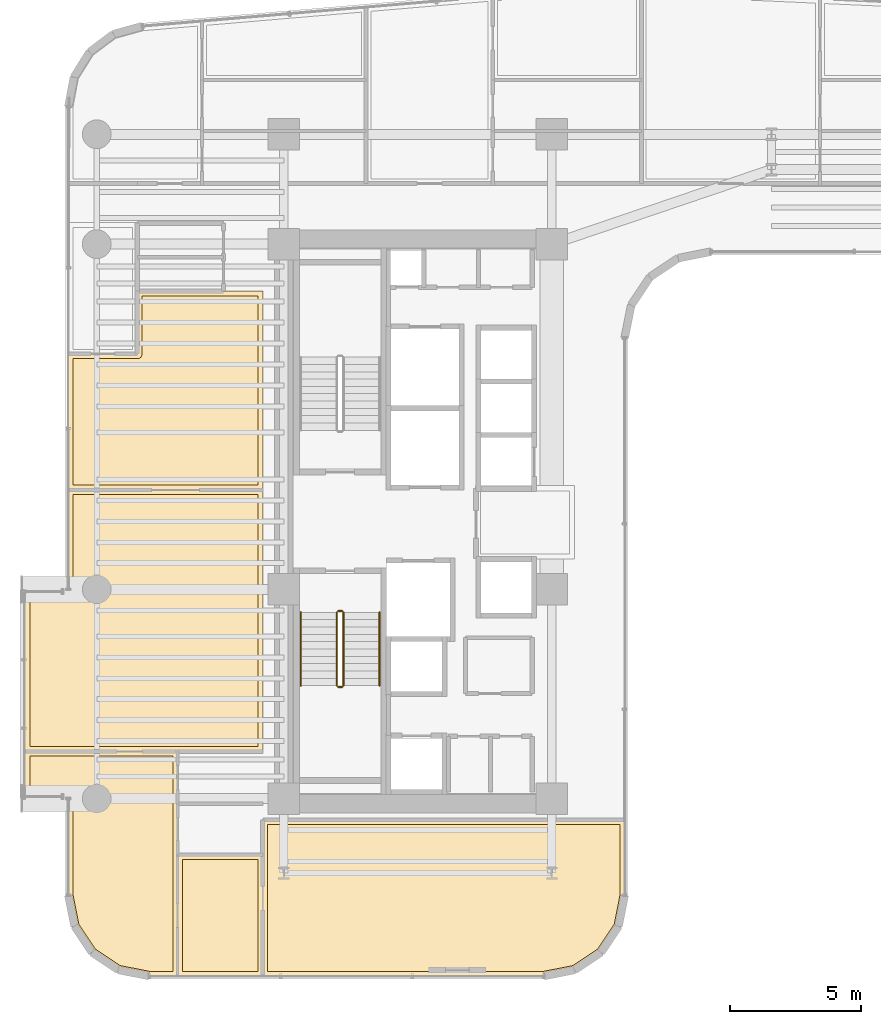
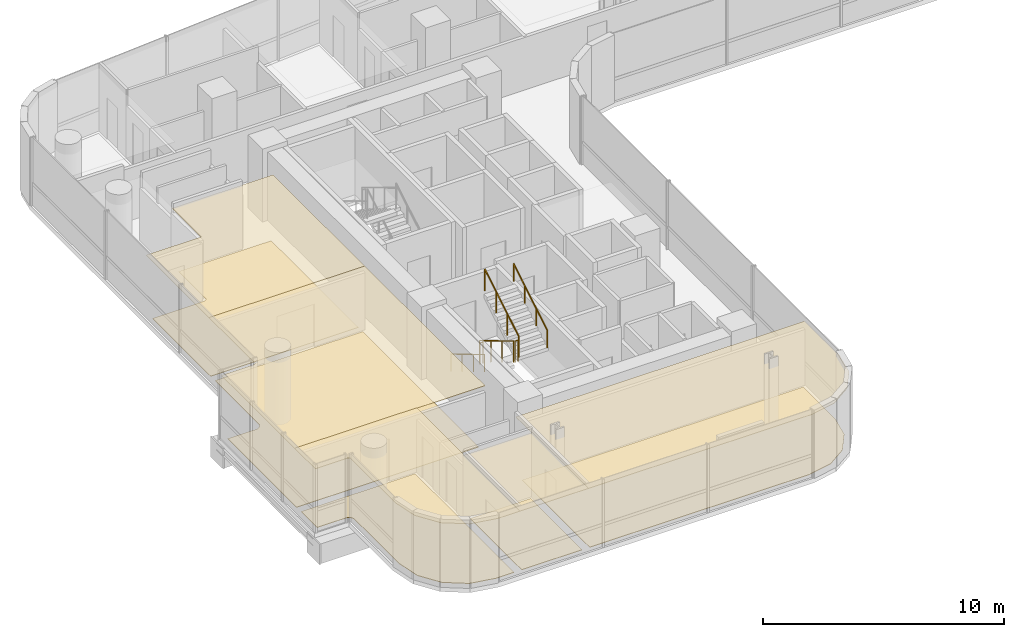
# One storey, part 34 of 38: 10 coverings, 6 railings.
"""IFC4 building model written with IfcOpenShell, lengths in metres."""

from ifc_helpers import new_model, si_unit, direction, frame, origin, origin_2d, place, context, subcontext, project, spatial, polyline, circle, outline, extrude, material, layer, layer_set, type_object, element, save


model = new_model("IFC4")

# Units and contexts
model_context = context("Model", 3, precision=1e-05, world=origin(), true_north=direction((0.0, 1.0)))
body_context = subcontext(model_context, "Body", "Model", "MODEL_VIEW")
ifc_project = project(units=[si_unit("LENGTHUNIT", "METRE"), si_unit("AREAUNIT", "SQUARE_METRE"), si_unit("VOLUMEUNIT", "CUBIC_METRE"), si_unit("PLANEANGLEUNIT", "RADIAN"), si_unit("MASSUNIT", "GRAM", prefix="KILO")], contexts=[model_context])

# Site, building, storey
site_placement = place(None, origin())
site = spatial("IfcSite", under=ifc_project, at=site_placement, CompositionType="ELEMENT")
building_placement = place(site_placement, origin())
building = spatial("IfcBuilding", under=site, at=building_placement, Name="Valdorenza Pilgrim Sanctuary Tower", CompositionType="ELEMENT")
storey_placement = place(building_placement, frame((0.0, 0.0, 131.60009765625)))
storey = spatial("IfcBuildingStorey", under=building, at=storey_placement, Name="L33", CompositionType="ELEMENT", Elevation=131.60009765625)

# Coverings
ifc_material_1 = material(Name="Micro-perforated acoustic mineral ceiling tile", Category="gypsum")
ifc_layer_1 = layer(ifc_material_1, 0.02490234375, Name="Micro-perforated acoustic mineral ceiling tile")
ifc_layer_set_1 = layer_set([ifc_layer_1], Name="Micro-perforated acoustic mineral ceiling tile")
covering_type_1 = type_object("IfcCoveringType", Name="COV-CLG-ACU", PredefinedType="CEILING", material=ifc_layer_set_1)
covering_1_placement = place(storey_placement, frame((0.0, 0.0, 3.159912109375)))
element("IfcCovering", 1, at=covering_1_placement, inside=storey, type_object=covering_type_1, Name="L33 Sanctuary Apartment L33-CS1 Bedroom Acoustic Ceiling", PredefinedType="CEILING", context=body_context, shape_type="SweptSolid", body=[
    extrude(outline(polyline([(-26.7236328125, -12.75), (-26.723388671875, -12.74853515625), (-26.723388671875, -12.7470703125), (-26.722900390625, -12.74560546875), (-26.722412109375, -12.744384765625), (-26.7216796875, -12.742919921875), (-26.72119140625, -12.74169921875), (-26.72021484375, -12.740478515625), (-26.71923828125, -12.739501953125), (-26.718017578125, -12.73828125), (-26.716796875, -12.737548828125), (-26.7158203125, -12.73681640625), (-26.71435546875, -12.736083984375), (-26.712890625, -12.735595703125), (-26.71142578125, -12.7353515625), (-26.710205078125, -12.735107421875), (-26.70849609375, -12.735107421875), (-23.449951171875, -12.735107421875), (-23.448486328125, -12.735107421875), (-23.447021484375, -12.7353515625), (-23.445556640625, -12.735595703125), (-23.4443359375, -12.736083984375), (-23.44287109375, -12.73681640625), (-23.441650390625, -12.737548828125), (-23.4404296875, -12.73828125), (-23.439453125, -12.739501953125), (-23.4384765625, -12.740478515625), (-23.4375, -12.74169921875), (-23.436767578125, -12.742919921875), (-23.43603515625, -12.744384765625), (-23.435546875, -12.74560546875), (-23.435302734375, -12.7470703125), (-23.43505859375, -12.74853515625), (-23.43505859375, -12.75), (-23.43505859375, -17.389892578125), (-23.43505859375, -17.3916015625), (-23.435302734375, -17.392822265625), (-23.435546875, -17.394287109375), (-23.43603515625, -17.395751953125), (-23.436767578125, -17.397216796875), (-23.4375, -17.398193359375), (-23.4384765625, -17.3994140625), (-23.439453125, -17.400634765625), (-23.4404296875, -17.401611328125), (-23.441650390625, -17.402587890625), (-23.44287109375, -17.4033203125), (-23.4443359375, -17.40380859375), (-23.445556640625, -17.404296875), (-23.447021484375, -17.40478515625), (-23.448486328125, -17.40478515625), (-23.449951171875, -17.405029296875), (-26.70849609375, -17.405029296875), (-26.710205078125, -17.40478515625), (-26.71142578125, -17.40478515625), (-26.712890625, -17.404296875), (-26.71435546875, -17.40380859375), (-26.7158203125, -17.4033203125), (-26.716796875, -17.402587890625), (-26.718017578125, -17.401611328125), (-26.71923828125, -17.400634765625), (-26.72021484375, -17.3994140625), (-26.72119140625, -17.398193359375), (-26.7216796875, -17.397216796875), (-26.722412109375, -17.395751953125), (-26.722900390625, -17.394287109375), (-26.723388671875, -17.392822265625), (-26.723388671875, -17.3916015625), (-26.7236328125, -17.389892578125), (-26.7236328125, -12.75)])), origin(), (0.0, 0.0, 1.0), 0.02490234375),
])
covering_2_placement = place(storey_placement, frame((0.0, 0.0, 3.159912109375)))
element("IfcCovering", 2, at=covering_2_placement, inside=storey, type_object=covering_type_1, Name="L33 Sanctuary Apartment L33-CS1 Living Room Acoustic Ceiling", PredefinedType="CEILING", context=body_context, shape_type="SweptSolid", body=[
    extrude(outline(polyline([(-28.984619140625, -17.16748046875), (-28.986083984375, -17.1669921875), (-28.9873046875, -17.16650390625), (-28.98876953125, -17.166015625), (-28.989990234375, -17.165283203125), (-29.99169921875, -16.495849609375), (-29.992919921875, -16.4951171875), (-29.993896484375, -16.493896484375), (-29.9951171875, -16.492919921875), (-29.995849609375, -16.49169921875), (-30.665283203125, -15.489990234375), (-30.666015625, -15.48876953125), (-30.66650390625, -15.4873046875), (-30.6669921875, -15.486083984375), (-30.66748046875, -15.484619140625), (-30.90478515625, -14.2919921875), (-30.90478515625, -14.29052734375), (-30.905029296875, -14.289306640625), (-30.905029296875, -10.600341796875), (-30.905517578125, -10.5908203125), (-30.90673828125, -10.58154296875), (-30.9091796875, -10.572509765625), (-30.912109375, -10.563720703125), (-30.916259765625, -10.55517578125), (-30.9208984375, -10.547119140625), (-30.926513671875, -10.539794921875), (-30.932861328125, -10.53271484375), (-30.939697265625, -10.526611328125), (-30.947265625, -10.52099609375), (-30.955078125, -10.51611328125), (-30.963623046875, -10.51220703125), (-30.972412109375, -10.509033203125), (-30.9814453125, -10.5068359375), (-30.99072265625, -10.505615234375), (-31.00048828125, -10.5048828125), (-32.5400390625, -10.5048828125), (-32.54150390625, -10.5048828125), (-32.54296875, -10.504638671875), (-32.54443359375, -10.50439453125), (-32.545654296875, -10.50390625), (-32.547119140625, -10.503173828125), (-32.54833984375, -10.50244140625), (-32.549560546875, -10.501708984375), (-32.550537109375, -10.50048828125), (-32.551513671875, -10.49951171875), (-32.552490234375, -10.498291015625), (-32.55322265625, -10.4970703125), (-32.553955078125, -10.49560546875), (-32.554443359375, -10.494384765625), (-32.5546875, -10.492919921875), (-32.554931640625, -10.491455078125), (-32.554931640625, -10.489990234375), (-32.554931640625, -8.800048828125), (-32.554931640625, -8.798583984375), (-32.5546875, -8.797119140625), (-32.554443359375, -8.795654296875), (-32.553955078125, -8.794189453125), (-32.55322265625, -8.79296875), (-32.552490234375, -8.791748046875), (-32.551513671875, -8.79052734375), (-32.550537109375, -8.789306640625), (-32.549560546875, -8.788330078125), (-32.54833984375, -8.78759765625), (-32.547119140625, -8.786865234375), (-32.545654296875, -8.7861328125), (-32.54443359375, -8.78564453125), (-32.54296875, -8.785400390625), (-32.54150390625, -8.78515625), (-32.5400390625, -8.784912109375), (-26.70849609375, -8.784912109375), (-26.70703125, -8.78515625), (-26.705810546875, -8.785400390625), (-26.7041015625, -8.78564453125), (-26.702880859375, -8.7861328125), (-26.701416015625, -8.786865234375), (-26.7001953125, -8.78759765625), (-26.69921875, -8.788330078125), (-26.697998046875, -8.789306640625), (-26.697021484375, -8.79052734375), (-26.696044921875, -8.791748046875), (-26.6953125, -8.79296875), (-26.694580078125, -8.794189453125), (-26.694091796875, -8.795654296875), (-26.69384765625, -8.797119140625), (-26.693603515625, -8.798583984375), (-26.693603515625, -8.800048828125), (-26.693603515625, -12.748046875), (-26.693603515625, -12.74951171875), (-26.69384765625, -12.7509765625), (-26.6943359375, -12.75244140625), (-26.69482421875, -12.75390625), (-26.695556640625, -12.75537109375), (-26.695556640625, -12.755615234375), (-26.695556640625, -17.389892578125), (-26.69580078125, -17.3916015625), (-26.69580078125, -17.392822265625), (-26.6962890625, -17.394287109375), (-26.69677734375, -17.395751953125), (-26.697509765625, -17.397216796875), (-26.697998046875, -17.398193359375), (-26.698974609375, -17.3994140625), (-26.699951171875, -17.400634765625), (-26.701171875, -17.401611328125), (-26.702392578125, -17.402587890625), (-26.70361328125, -17.4033203125), (-26.704833984375, -17.40380859375), (-26.706298828125, -17.404296875), (-26.707763671875, -17.40478515625), (-26.708984375, -17.40478515625), (-26.710693359375, -17.405029296875), (-27.789306640625, -17.405029296875), (-27.79052734375, -17.40478515625), (-27.7919921875, -17.40478515625), (-28.984619140625, -17.16748046875)])), origin(), (0.0, 0.0, 1.0), 0.02490234375),
])
covering_3_placement = place(storey_placement, frame((0.0, 0.0, 3.159912109375)))
element("IfcCovering", 3, at=covering_3_placement, inside=storey, type_object=covering_type_1, Name="L33 South Contemplation Salon L33 Acoustic Ceiling", PredefinedType="CEILING", context=body_context, shape_type="SweptSolid", body=[
    extrude(outline(polyline([(-26.71044921875, -8.81298828125), (-32.5400390625, -8.81298828125), (-32.54150390625, -8.81298828125), (-32.54296875, -8.812744140625), (-32.54443359375, -8.8125), (-32.545654296875, -8.81201171875), (-32.547119140625, -8.811279296875), (-32.54833984375, -8.810546875), (-32.549560546875, -8.8095703125), (-32.550537109375, -8.80859375), (-32.551513671875, -8.8076171875), (-32.552490234375, -8.806396484375), (-32.55322265625, -8.80517578125), (-32.553955078125, -8.8037109375), (-32.554443359375, -8.802490234375), (-32.5546875, -8.80078125), (-32.554931640625, -8.799560546875), (-32.554931640625, -8.798095703125), (-32.554931640625, -2.7099609375), (-32.554931640625, -2.70849609375), (-32.5546875, -2.70703125), (-32.554443359375, -2.70556640625), (-32.553955078125, -2.704345703125), (-32.55322265625, -2.702880859375), (-32.552490234375, -2.70166015625), (-32.551513671875, -2.700439453125), (-32.550537109375, -2.699462890625), (-32.549560546875, -2.698486328125), (-32.54833984375, -2.697509765625), (-32.547119140625, -2.69677734375), (-32.545654296875, -2.696044921875), (-32.54443359375, -2.695556640625), (-32.54296875, -2.6953125), (-32.54150390625, -2.695068359375), (-32.5400390625, -2.695068359375), (-31.00048828125, -2.695068359375), (-30.99072265625, -2.694580078125), (-30.9814453125, -2.693115234375), (-30.972412109375, -2.69091796875), (-30.963623046875, -2.687744140625), (-30.955078125, -2.683837890625), (-30.947265625, -2.678955078125), (-30.939697265625, -2.67333984375), (-30.932861328125, -2.667236328125), (-30.926513671875, -2.660400390625), (-30.9208984375, -2.65283203125), (-30.916259765625, -2.644775390625), (-30.912109375, -2.63623046875), (-30.9091796875, -2.627685546875), (-30.90673828125, -2.618408203125), (-30.905517578125, -2.609375), (-30.905029296875, -2.599609375), (-30.905029296875, 1.199951171875), (-30.90478515625, 1.201416015625), (-30.90478515625, 1.202880859375), (-30.904296875, 1.204345703125), (-30.90380859375, 1.205810546875), (-30.9033203125, 1.20703125), (-30.902587890625, 1.208251953125), (-30.901611328125, 1.20947265625), (-30.900634765625, 1.210693359375), (-30.8994140625, 1.211669921875), (-30.898193359375, 1.21240234375), (-30.897216796875, 1.213134765625), (-30.895751953125, 1.2138671875), (-30.894287109375, 1.21435546875), (-30.892822265625, 1.214599609375), (-30.8916015625, 1.21484375), (-30.889892578125, 1.215087890625), (-23.449951171875, 1.215087890625), (-23.448486328125, 1.21484375), (-23.447021484375, 1.214599609375), (-23.445556640625, 1.21435546875), (-23.4443359375, 1.2138671875), (-23.44287109375, 1.213134765625), (-23.441650390625, 1.21240234375), (-23.4404296875, 1.211669921875), (-23.439453125, 1.210693359375), (-23.4384765625, 1.20947265625), (-23.4375, 1.208251953125), (-23.436767578125, 1.20703125), (-23.43603515625, 1.205810546875), (-23.435546875, 1.204345703125), (-23.435302734375, 1.202880859375), (-23.43505859375, 1.201416015625), (-23.43505859375, 1.199951171875), (-23.43505859375, -8.798095703125), (-23.43505859375, -8.799560546875), (-23.435302734375, -8.80078125), (-23.435546875, -8.802490234375), (-23.43603515625, -8.8037109375), (-23.436767578125, -8.80517578125), (-23.4375, -8.806396484375), (-23.4384765625, -8.8076171875), (-23.439453125, -8.80859375), (-23.4404296875, -8.8095703125), (-23.441650390625, -8.810546875), (-23.44287109375, -8.811279296875), (-23.4443359375, -8.81201171875), (-23.445556640625, -8.8125), (-23.447021484375, -8.812744140625), (-23.448486328125, -8.81298828125), (-23.449951171875, -8.81298828125), (-26.704833984375, -8.81298828125), (-26.70556640625, -8.81298828125), (-26.70703125, -8.813232421875), (-26.70849609375, -8.813232421875), (-26.710205078125, -8.81298828125), (-26.71044921875, -8.81298828125)])), origin(), (0.0, 0.0, 1.0), 0.02490234375),
])
covering_4_placement = place(storey_placement, frame((0.0, 0.0, 3.159912109375)))
element("IfcCovering", 4, at=covering_4_placement, inside=storey, type_object=covering_type_1, Name="L33 North Contemplation Salon L33 Acoustic Ceiling", PredefinedType="CEILING", context=body_context, shape_type="SweptSolid", body=[
    extrude(outline(polyline([(-28.262939453125, 6.4130859375), (-28.262939453125, 8.798095703125), (-28.262939453125, 8.799560546875), (-28.2626953125, 8.80078125), (-28.262451171875, 8.802490234375), (-28.261962890625, 8.8037109375), (-28.26123046875, 8.80517578125), (-28.260498046875, 8.806396484375), (-28.259521484375, 8.8076171875), (-28.258544921875, 8.80859375), (-28.257568359375, 8.8095703125), (-28.25634765625, 8.810546875), (-28.255126953125, 8.811279296875), (-28.253662109375, 8.81201171875), (-28.25244140625, 8.8125), (-28.2509765625, 8.812744140625), (-28.24951171875, 8.81298828125), (-28.248046875, 8.81298828125), (-24.955322265625, 8.81298828125), (-24.954833984375, 8.813232421875), (-24.95361328125, 8.81396484375), (-24.9521484375, 8.814453125), (-24.95068359375, 8.814697265625), (-24.949462890625, 8.81494140625), (-24.947998046875, 8.81494140625), (-23.449951171875, 8.81494140625), (-23.448486328125, 8.81494140625), (-23.447021484375, 8.814697265625), (-23.445556640625, 8.814453125), (-23.4443359375, 8.81396484375), (-23.44287109375, 8.813232421875), (-23.441650390625, 8.8125), (-23.4404296875, 8.8115234375), (-23.439453125, 8.810546875), (-23.4384765625, 8.8095703125), (-23.4375, 8.808349609375), (-23.436767578125, 8.80712890625), (-23.43603515625, 8.8056640625), (-23.435546875, 8.804443359375), (-23.435302734375, 8.802978515625), (-23.43505859375, 8.801513671875), (-23.43505859375, 8.800048828125), (-23.43505859375, 1.201904296875), (-23.43505859375, 1.200439453125), (-23.435302734375, 1.19921875), (-23.435546875, 1.197509765625), (-23.43603515625, 1.1962890625), (-23.436767578125, 1.19482421875), (-23.4375, 1.193603515625), (-23.4384765625, 1.1923828125), (-23.439453125, 1.19140625), (-23.4404296875, 1.1904296875), (-23.441650390625, 1.189453125), (-23.44287109375, 1.188720703125), (-23.4443359375, 1.18798828125), (-23.445556640625, 1.1875), (-23.447021484375, 1.187255859375), (-23.448486328125, 1.18701171875), (-23.449951171875, 1.18701171875), (-30.889892578125, 1.18701171875), (-30.8916015625, 1.18701171875), (-30.892822265625, 1.187255859375), (-30.894287109375, 1.1875), (-30.895751953125, 1.18798828125), (-30.897216796875, 1.188720703125), (-30.898193359375, 1.189453125), (-30.8994140625, 1.1904296875), (-30.900634765625, 1.19140625), (-30.901611328125, 1.1923828125), (-30.902587890625, 1.193603515625), (-30.9033203125, 1.19482421875), (-30.90380859375, 1.1962890625), (-30.904296875, 1.197509765625), (-30.90478515625, 1.19921875), (-30.90478515625, 1.200439453125), (-30.905029296875, 1.201904296875), (-30.905029296875, 6.39794921875), (-30.90478515625, 6.3994140625), (-30.90478515625, 6.40087890625), (-30.904296875, 6.40234375), (-30.90380859375, 6.40380859375), (-30.9033203125, 6.405029296875), (-30.902587890625, 6.40625), (-30.901611328125, 6.407470703125), (-30.900634765625, 6.40869140625), (-30.8994140625, 6.40966796875), (-30.898193359375, 6.410400390625), (-30.897216796875, 6.4111328125), (-30.895751953125, 6.411865234375), (-30.894287109375, 6.412353515625), (-30.892822265625, 6.41259765625), (-30.8916015625, 6.412841796875), (-30.889892578125, 6.4130859375), (-28.262939453125, 6.4130859375)])), origin(), (0.0, 0.0, 1.0), 0.02490234375),
])
covering_5_placement = place(storey_placement, frame((0.0, 0.0, 3.159912109375)))
element("IfcCovering", 5, at=covering_5_placement, inside=storey, type_object=covering_type_1, Name="L33 South Panoramic Viewing Salon L33 Acoustic Ceiling", PredefinedType="CEILING", context=body_context, shape_type="SweptSolid", body=[
    extrude(outline(polyline([(-23.462890625, -12.751708984375), (-23.463134765625, -12.751220703125), (-23.46337890625, -12.74951171875), (-23.463134765625, -12.748046875), (-23.463134765625, -12.74658203125), (-23.462890625, -12.74609375), (-23.462890625, -11.419921875), (-23.462890625, -11.41845703125), (-23.462646484375, -11.4169921875), (-23.46240234375, -11.41552734375), (-23.4619140625, -11.414306640625), (-23.461181640625, -11.412841796875), (-23.46044921875, -11.41162109375), (-23.459716796875, -11.410400390625), (-23.45849609375, -11.409423828125), (-23.45751953125, -11.408447265625), (-23.456298828125, -11.407470703125), (-23.455078125, -11.40673828125), (-23.45361328125, -11.406005859375), (-23.452392578125, -11.405517578125), (-23.450927734375, -11.4052734375), (-23.449462890625, -11.405029296875), (-23.447998046875, -11.405029296875), (-9.610107421875, -11.405029296875), (-9.6083984375, -11.405029296875), (-9.607177734375, -11.4052734375), (-9.605712890625, -11.405517578125), (-9.604248046875, -11.406005859375), (-9.602783203125, -11.40673828125), (-9.601806640625, -11.407470703125), (-9.6005859375, -11.408447265625), (-9.599365234375, -11.409423828125), (-9.598388671875, -11.410400390625), (-9.597412109375, -11.41162109375), (-9.5966796875, -11.412841796875), (-9.59619140625, -11.414306640625), (-9.595703125, -11.41552734375), (-9.59521484375, -11.4169921875), (-9.59521484375, -11.41845703125), (-9.594970703125, -11.419921875), (-9.594970703125, -14.289306640625), (-9.59521484375, -14.29052734375), (-9.59521484375, -14.2919921875), (-9.83251953125, -15.484619140625), (-9.8330078125, -15.486083984375), (-9.83349609375, -15.4873046875), (-9.833984375, -15.48876953125), (-9.834716796875, -15.489990234375), (-10.504150390625, -16.49169921875), (-10.5048828125, -16.492919921875), (-10.506103515625, -16.493896484375), (-10.507080078125, -16.4951171875), (-10.50830078125, -16.495849609375), (-11.510009765625, -17.165283203125), (-11.51123046875, -17.166015625), (-11.5126953125, -17.16650390625), (-11.513916015625, -17.1669921875), (-11.515380859375, -17.16748046875), (-12.7080078125, -17.40478515625), (-12.70947265625, -17.40478515625), (-12.710693359375, -17.405029296875), (-23.447998046875, -17.405029296875), (-23.449462890625, -17.40478515625), (-23.450927734375, -17.40478515625), (-23.452392578125, -17.404296875), (-23.45361328125, -17.40380859375), (-23.455078125, -17.4033203125), (-23.456298828125, -17.402587890625), (-23.45751953125, -17.401611328125), (-23.45849609375, -17.400634765625), (-23.459716796875, -17.3994140625), (-23.46044921875, -17.398193359375), (-23.461181640625, -17.397216796875), (-23.4619140625, -17.395751953125), (-23.46240234375, -17.394287109375), (-23.462646484375, -17.392822265625), (-23.462890625, -17.3916015625), (-23.462890625, -17.389892578125), (-23.462890625, -12.751708984375)])), origin(), (0.0, 0.0, 1.0), 0.02490234375),
])
ifc_material_2 = material(Name="Engineered European oak timber flooring", Category="wood")
ifc_layer_2 = layer(ifc_material_2, 0.02197265625, Name="Engineered European oak timber flooring")
ifc_layer_set_2 = layer_set([ifc_layer_2], Name="Engineered European oak timber flooring")
covering_type_2 = type_object("IfcCoveringType", Name="COV-FLR-OAK", PredefinedType="FLOORING", material=ifc_layer_set_2)
covering_6_placement = place(storey_placement, origin())
element("IfcCovering", 6, at=covering_6_placement, inside=storey, type_object=covering_type_2, Name="L33 Sanctuary Apartment L33-CS1 Bedroom Flooring", PredefinedType="FLOORING", context=body_context, shape_type="SweptSolid", body=[
    extrude(outline(polyline([(-26.528564453125, -12.929931640625), (-23.6298828125, -12.929931640625), (-23.6298828125, -17.2099609375), (-26.528564453125, -17.2099609375), (-26.528564453125, -12.929931640625)])), origin(), (0.0, 0.0, 1.0), 0.02490234375),
])
covering_7_placement = place(storey_placement, origin())
element("IfcCovering", 7, at=covering_7_placement, inside=storey, type_object=covering_type_2, Name="L33 Sanctuary Apartment L33-CS1 Living Room Flooring", PredefinedType="FLOORING", context=body_context, shape_type="SweptSolid", body=[
    extrude(outline(polyline([(-28.911376953125, -16.983154296875), (-29.853515625, -16.353515625), (-30.483154296875, -15.411376953125), (-30.7099609375, -14.271484375), (-30.7099609375, -10.60009765625), (-30.710205078125, -10.59130859375), (-30.710693359375, -10.580322265625), (-30.71240234375, -10.562744140625), (-30.714111328125, -10.552001953125), (-30.717529296875, -10.534912109375), (-30.72021484375, -10.5244140625), (-30.725341796875, -10.50732421875), (-30.72900390625, -10.497314453125), (-30.735595703125, -10.48095703125), (-30.740234375, -10.47119140625), (-30.74853515625, -10.45556640625), (-30.754150390625, -10.4462890625), (-30.763916015625, -10.431640625), (-30.7705078125, -10.423095703125), (-30.781494140625, -10.4091796875), (-30.788818359375, -10.4013671875), (-30.80126953125, -10.388916015625), (-30.809326171875, -10.381591796875), (-30.822998046875, -10.370361328125), (-30.831787109375, -10.364013671875), (-30.84619140625, -10.35400390625), (-30.855712890625, -10.3486328125), (-30.87109375, -10.34033203125), (-30.880859375, -10.335693359375), (-30.897216796875, -10.328857421875), (-30.907470703125, -10.3251953125), (-30.92431640625, -10.320068359375), (-30.934814453125, -10.3173828125), (-30.9521484375, -10.314208984375), (-30.962890625, -10.3125), (-30.98046875, -10.310791015625), (-30.9912109375, -10.310302734375), (-31.0, -10.31005859375), (-32.360107421875, -10.31005859375), (-32.360107421875, -8.97998046875), (-26.888671875, -8.97998046875), (-26.888671875, -12.72314453125), (-26.888671875, -12.72314453125), (-26.888671875, -12.723388671875), (-26.890380859375, -12.740966796875), (-26.890380859375, -12.7412109375), (-26.890625, -12.75), (-26.890625, -17.2099609375), (-27.771484375, -17.2099609375), (-28.911376953125, -16.983154296875)])), origin(), (0.0, 0.0, 1.0), 0.02490234375),
])
ifc_material_3 = material(Name="Honed travertine stone flooring", Category="masonry")
ifc_layer_3 = layer(ifc_material_3, 0.030029296875, Name="Honed travertine stone flooring")
ifc_layer_set_3 = layer_set([ifc_layer_3], Name="Honed travertine stone flooring")
covering_type_3 = type_object("IfcCoveringType", Name="COV-FLR-TRV", PredefinedType="FLOORING", material=ifc_layer_set_3)
covering_8_placement = place(storey_placement, origin())
element("IfcCovering", 8, at=covering_8_placement, inside=storey, type_object=covering_type_3, Name="L33 South Contemplation Salon L33 Flooring", PredefinedType="FLOORING", context=body_context, shape_type="SweptSolid", body=[
    extrude(outline(polyline([(-26.708251953125, -8.617919921875), (-26.70849609375, -8.617919921875), (-32.360107421875, -8.617919921875), (-32.360107421875, -2.889892578125), (-31.0, -2.889892578125), (-30.9912109375, -2.889892578125), (-30.98046875, -2.889404296875), (-30.962890625, -2.887451171875), (-30.9521484375, -2.885986328125), (-30.934814453125, -2.882568359375), (-30.92431640625, -2.8798828125), (-30.907470703125, -2.874755859375), (-30.897216796875, -2.87109375), (-30.880859375, -2.8642578125), (-30.87109375, -2.859619140625), (-30.855712890625, -2.851318359375), (-30.84619140625, -2.845947265625), (-30.831787109375, -2.8359375), (-30.822998046875, -2.82958984375), (-30.809326171875, -2.818359375), (-30.80126953125, -2.811279296875), (-30.788818359375, -2.798583984375), (-30.781494140625, -2.790771484375), (-30.7705078125, -2.777099609375), (-30.763916015625, -2.768310546875), (-30.754150390625, -2.753662109375), (-30.74853515625, -2.744384765625), (-30.740234375, -2.728759765625), (-30.735595703125, -2.718994140625), (-30.72900390625, -2.70263671875), (-30.725341796875, -2.692626953125), (-30.72021484375, -2.67578125), (-30.717529296875, -2.665283203125), (-30.714111328125, -2.64794921875), (-30.71240234375, -2.63720703125), (-30.710693359375, -2.61962890625), (-30.710205078125, -2.60888671875), (-30.7099609375, -2.60009765625), (-30.7099609375, 1.02001953125), (-23.6298828125, 1.02001953125), (-23.6298828125, -8.617919921875), (-26.70654296875, -8.617919921875), (-26.70751953125, -8.617919921875), (-26.708251953125, -8.617919921875)])), origin(), (0.0, 0.0, 1.0), 0.02490234375),
])
covering_9_placement = place(storey_placement, origin())
element("IfcCovering", 9, at=covering_9_placement, inside=storey, type_object=covering_type_3, Name="L33 North Contemplation Salon L33 Flooring", PredefinedType="FLOORING", context=body_context, shape_type="SweptSolid", body=[
    extrude(outline(polyline([(-23.6298828125, 8.619873046875), (-23.6298828125, 1.382080078125), (-30.7099609375, 1.382080078125), (-30.7099609375, 6.218017578125), (-28.25, 6.218017578125), (-28.2412109375, 6.21826171875), (-28.240966796875, 6.21826171875), (-28.223388671875, 6.219970703125), (-28.22314453125, 6.219970703125), (-28.205810546875, 6.223388671875), (-28.205810546875, 6.223388671875), (-28.188720703125, 6.228515625), (-28.188720703125, 6.228759765625), (-28.17236328125, 6.2353515625), (-28.172119140625, 6.235595703125), (-28.156494140625, 6.243896484375), (-28.156494140625, 6.243896484375), (-28.1416015625, 6.25390625), (-28.1416015625, 6.25390625), (-28.1279296875, 6.26513671875), (-28.127685546875, 6.26513671875), (-28.115234375, 6.277587890625), (-28.114990234375, 6.27783203125), (-28.10400390625, 6.29150390625), (-28.103759765625, 6.291748046875), (-28.093994140625, 6.306396484375), (-28.09375, 6.306396484375), (-28.08544921875, 6.322021484375), (-28.08544921875, 6.322265625), (-28.07861328125, 6.338623046875), (-28.07861328125, 6.3388671875), (-28.073486328125, 6.355712890625), (-28.073486328125, 6.35595703125), (-28.070068359375, 6.373291015625), (-28.070068359375, 6.373291015625), (-28.068115234375, 6.39111328125), (-28.068115234375, 6.39111328125), (-28.068115234375, 6.39990234375), (-28.068115234375, 8.617919921875), (-24.949951171875, 8.617919921875), (-24.94970703125, 8.617919921875), (-23.6298828125, 8.619873046875)])), origin(), (0.0, 0.0, 1.0), 0.02490234375),
])
covering_10_placement = place(storey_placement, origin())
element("IfcCovering", 10, at=covering_10_placement, inside=storey, type_object=covering_type_3, Name="L33 South Panoramic Viewing Salon L33 Flooring", PredefinedType="FLOORING", context=body_context, shape_type="SweptSolid", body=[
    extrude(outline(polyline([(-23.26806640625, -12.748291015625), (-23.26806640625, -12.748046875), (-23.26806640625, -11.60009765625), (-9.7900390625, -11.60009765625), (-9.7900390625, -14.271484375), (-10.016845703125, -15.411376953125), (-10.646484375, -16.353515625), (-11.588623046875, -16.983154296875), (-12.728515625, -17.2099609375), (-23.26806640625, -17.2099609375), (-23.26806640625, -12.75), (-23.26806640625, -12.7490234375), (-23.26806640625, -12.748291015625)])), origin(), (0.0, 0.0, 1.0), 0.02490234375),
])

# Railings
ifc_material_4 = material(Name="Stainless steel Grade 316", Category="steel")
railing_type_1 = type_object("IfcRailingType", Name="RLG-GRD-1120", PredefinedType="GUARDRAIL", material=ifc_material_4)
railing_1_placement = place(storey_placement, frame((-20.6201171875, -3.47998046875, 0.16796875)))
element("IfcRailing", 11, at=railing_1_placement, inside=storey, type_object=railing_type_1, Name="L33 ST-A2 stair guard 1", PredefinedType="GUARDRAIL", context=body_context, shape_type="SweptSolid", body=[
    extrude(circle(Radius=0.02392578125, at=origin_2d()), frame((0.0, 0.0, 1.076171875), z_axis=(0.0, -0.857242210791, 0.514913383045), x_axis=(1.0, 0.0, 0.0)), (0.0, 0.0, 1.0), 3.266357421875),
    extrude(circle(Radius=0.02099609375, at=origin_2d()), origin(), (0.0, 0.0, 1.0), 1.052001953125),
    extrude(circle(Radius=0.02099609375, at=origin_2d()), frame((0.0, -0.933349609375, 0.560546875)), (0.0, 0.0, 1.0), 1.052001953125),
    extrude(circle(Radius=0.02099609375, at=origin_2d()), frame((0.0, -1.86669921875, 1.121337890625)), (0.0, 0.0, 1.0), 1.052001953125),
    extrude(circle(Radius=0.02099609375, at=origin_2d()), frame((0.0, -2.800048828125, 1.681884765625)), (0.0, 0.0, 1.0), 1.052001953125),
])
railing_2_placement = place(storey_placement, frame((-20.570068359375, -6.330078125, 1.849853515625)))
element("IfcRailing", 12, at=railing_2_placement, inside=storey, type_object=railing_type_1, Name="L33 ST-A2 stair guard 2", PredefinedType="GUARDRAIL", context=body_context, shape_type="SweptSolid", body=[
    extrude(circle(Radius=0.02392578125, at=origin_2d()), frame((0.0, 0.0, 1.076171875), z_axis=(1.0, 0.0, 0.0), x_axis=(0.0, 1.0, 0.0)), (0.0, 0.0, 1.0), 0.150146484375),
    extrude(circle(Radius=0.02099609375, at=origin_2d()), origin(), (0.0, 0.0, 1.0), 1.052001953125),
    extrude(circle(Radius=0.02099609375, at=origin_2d()), frame((0.150146484375, 0.0, 0.0)), (0.0, 0.0, 1.0), 1.052001953125),
])
railing_3_placement = place(storey_placement, frame((-20.3701171875, -6.280029296875, 2.01806640625)))
element("IfcRailing", 13, at=railing_3_placement, inside=storey, type_object=railing_type_1, Name="L33 ST-A2 stair guard 3", PredefinedType="GUARDRAIL", context=body_context, shape_type="SweptSolid", body=[
    extrude(circle(Radius=0.02392578125, at=origin_2d()), frame((0.0, 0.0, 1.076171875), z_axis=(0.0, 0.857242210791, 0.514913383045), x_axis=(-1.0, 0.0, 0.0)), (0.0, 0.0, 1.0), 3.266357421875),
    extrude(circle(Radius=0.02099609375, at=origin_2d()), origin(), (0.0, 0.0, 1.0), 1.052001953125),
    extrude(circle(Radius=0.02099609375, at=origin_2d()), frame((0.0, 0.933349609375, 0.560546875)), (0.0, 0.0, 1.0), 1.052001953125),
    extrude(circle(Radius=0.02099609375, at=origin_2d()), frame((0.0, 1.86669921875, 1.121337890625)), (0.0, 0.0, 1.0), 1.052001953125),
    extrude(circle(Radius=0.02099609375, at=origin_2d()), frame((0.0, 2.800048828125, 1.681884765625)), (0.0, 0.0, 1.0), 1.052001953125),
])
railing_4_placement = place(storey_placement, frame((-20.570068359375, -3.429931640625, 0.0)))
element("IfcRailing", 14, at=railing_4_placement, inside=storey, type_object=railing_type_1, Name="L33 ST-A2 stair guard 4", PredefinedType="GUARDRAIL", context=body_context, shape_type="SweptSolid", body=[
    extrude(circle(Radius=0.02392578125, at=origin_2d()), frame((0.0, 0.0, 1.076171875), z_axis=(1.0, 0.0, 0.0), x_axis=(0.0, 1.0, 0.0)), (0.0, 0.0, 1.0), 0.150146484375),
    extrude(circle(Radius=0.02099609375, at=origin_2d()), origin(), (0.0, 0.0, 1.0), 1.052001953125),
    extrude(circle(Radius=0.02099609375, at=origin_2d()), frame((0.150146484375, 0.0, 0.0)), (0.0, 0.0, 1.0), 1.052001953125),
])
ifc_material_5 = material(Name="Brushed stainless steel Grade 316", Category="steel")
railing_type_2 = type_object("IfcRailingType", Name="RLG-HND-920", PredefinedType="HANDRAIL", material=ifc_material_5)
railing_5_placement = place(storey_placement, frame((-22.0, -3.47998046875, 0.16796875)))
element("IfcRailing", 15, at=railing_5_placement, inside=storey, type_object=railing_type_2, Name="L33 ST-A2 stair handrail 1", PredefinedType="HANDRAIL", context=body_context, shape_type="SweptSolid", body=[
    extrude(circle(Radius=0.02392578125, at=origin_2d()), frame((0.0, 0.0, 0.8759765625), z_axis=(0.0, -0.857242210791, 0.514913383045), x_axis=(1.0, 0.0, 0.0)), (0.0, 0.0, 1.0), 3.266357421875),
    extrude(circle(Radius=0.02099609375, at=origin_2d()), origin(), (0.0, 0.0, 1.0), 0.851806640625),
    extrude(circle(Radius=0.02099609375, at=origin_2d()), frame((0.0, -0.933349609375, 0.560546875)), (0.0, 0.0, 1.0), 0.851806640625),
    extrude(circle(Radius=0.02099609375, at=origin_2d()), frame((0.0, -1.86669921875, 1.121337890625)), (0.0, 0.0, 1.0), 0.851806640625),
    extrude(circle(Radius=0.02099609375, at=origin_2d()), frame((0.0, -2.800048828125, 1.681884765625)), (0.0, 0.0, 1.0), 0.851806640625),
])
railing_6_placement = place(storey_placement, frame((-18.989990234375, -6.280029296875, 2.01806640625)))
element("IfcRailing", 16, at=railing_6_placement, inside=storey, type_object=railing_type_2, Name="L33 ST-A2 stair handrail 2", PredefinedType="HANDRAIL", context=body_context, shape_type="SweptSolid", body=[
    extrude(circle(Radius=0.02392578125, at=origin_2d()), frame((0.0, 0.0, 0.8759765625), z_axis=(0.0, 0.857242210791, 0.514913383045), x_axis=(-1.0, 0.0, 0.0)), (0.0, 0.0, 1.0), 3.266357421875),
    extrude(circle(Radius=0.02099609375, at=origin_2d()), origin(), (0.0, 0.0, 1.0), 0.851806640625),
    extrude(circle(Radius=0.02099609375, at=origin_2d()), frame((0.0, 0.933349609375, 0.560546875)), (0.0, 0.0, 1.0), 0.851806640625),
    extrude(circle(Radius=0.02099609375, at=origin_2d()), frame((0.0, 1.86669921875, 1.121337890625)), (0.0, 0.0, 1.0), 0.851806640625),
    extrude(circle(Radius=0.02099609375, at=origin_2d()), frame((0.0, 2.800048828125, 1.681884765625)), (0.0, 0.0, 1.0), 0.851806640625),
])

save(model, "model.ifc")
